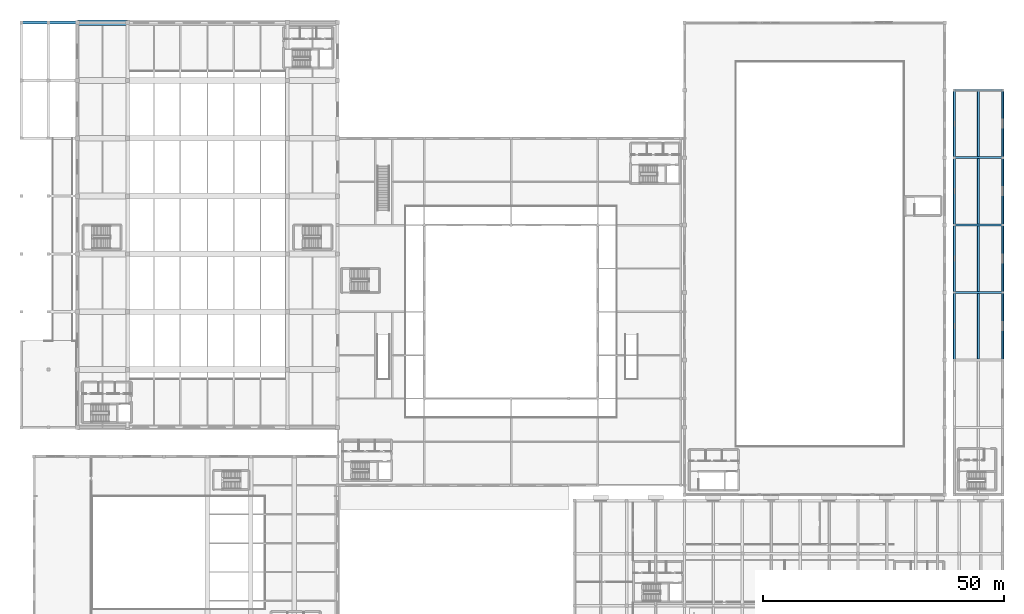
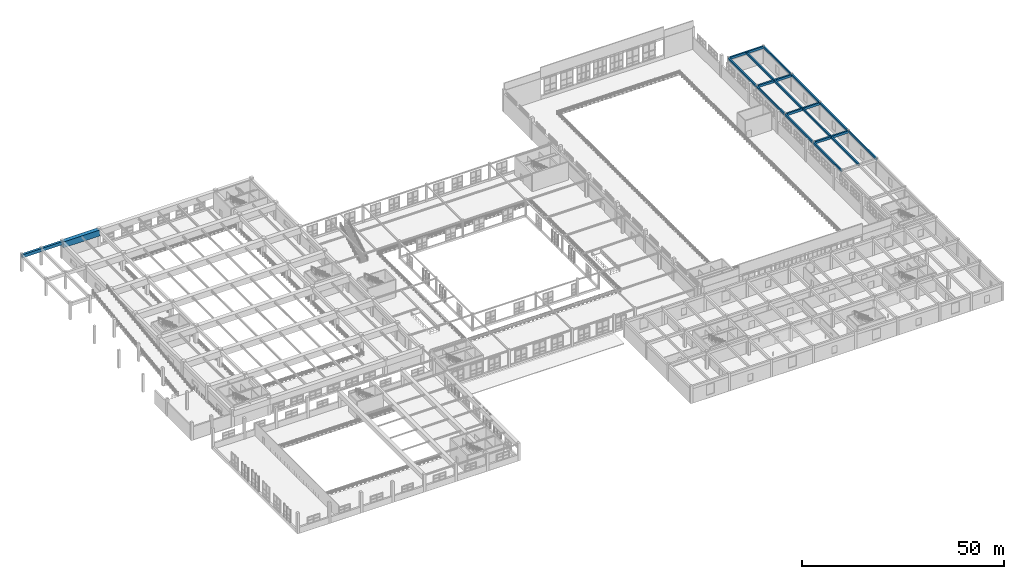
# One storey, part 140 of 197: 18 beams.
"""IFC4 building model written with IfcOpenShell, lengths in metres."""

from ifc_helpers import new_model, si_unit, derived_unit, direction, frame, origin, origin_2d, place, context, subcontext, project, spatial, rectangle, extrude, material, material_profile, profile_set, type_object, element, save


model = new_model("IFC4")

# Units and contexts
model_context = context("Model", 3, precision=1e-05, world=origin(), true_north=direction((0.0, 1.0)))
body_context = subcontext(model_context, "Body", "Model", "MODEL_VIEW")
ifc_project = project(units=[si_unit("LENGTHUNIT", "METRE"), si_unit("AREAUNIT", "SQUARE_METRE"), si_unit("VOLUMEUNIT", "CUBIC_METRE"), si_unit("PLANEANGLEUNIT", "RADIAN"), si_unit("MASSUNIT", "GRAM", prefix="KILO"), derived_unit("THERMALTRANSMITTANCEUNIT", [(si_unit("POWERUNIT", "WATT"), 1), (si_unit("LENGTHUNIT", "METRE"), -2), (si_unit("THERMODYNAMICTEMPERATUREUNIT", "KELVIN"), -1)])], contexts=[model_context])

# Site, building, storey
site_placement = place(None, origin())
site = spatial("IfcSite", under=ifc_project, at=site_placement, CompositionType="ELEMENT")
building_placement = place(site_placement, origin())
building = spatial("IfcBuilding", under=site, at=building_placement, Name="Almenara Railside Exhibition Hall", CompositionType="ELEMENT")
storey_placement = place(building_placement, frame((0.0, 0.0, 5.39990234375)))
storey = spatial("IfcBuildingStorey", under=building, at=storey_placement, Name="L01", CompositionType="ELEMENT", Elevation=5.39990234375)

# Beams
ifc_material_1 = material(Name="Concrete C40/50", Category="concrete")
ifc_material_profile_1 = material_profile(ifc_material_1, rectangle(XDim=1.10009765625, YDim=1.800048828125, at=origin_2d()), Name="RC 1100x1800")
ifc_profile_set_1 = profile_set([ifc_material_profile_1], Name="Concrete C40/50")
beam_type_1 = type_object("IfcBeamType", Name="RC End Transfer Girder 1100x1800 C40/50", PredefinedType="USERDEFINED", material=ifc_profile_set_1)
beam_1_placement = place(storey_placement, frame((12.0, 132.0, 4.09619140625), z_axis=(1.0, 0.0, 0.0), x_axis=(0.0, 1.0, 0.0)))
element("IfcBeam", 1, at=beam_1_placement, inside=storey, type_object=beam_type_1, Name="Beam 0577", ObjectType="GIRDER", PredefinedType="USERDEFINED", context=body_context, shape_type="SweptSolid", body=[
    extrude(rectangle(XDim=1.10009765625, YDim=1.800048828125, at=origin_2d()), origin(), (0.0, 0.0, 1.0), 10.39990234375),
])
ifc_material_2 = material(Name="Concrete C35/45", Category="concrete")
ifc_material_profile_2 = material_profile(ifc_material_2, rectangle(XDim=0.449951171875, YDim=0.699951171875, at=origin_2d()), Name="RC 450x700")
ifc_profile_set_2 = profile_set([ifc_material_profile_2], Name="Concrete C35/45")
beam_type_2 = type_object("IfcBeamType", Name="RC Floor Beam 450x700 C35/45", PredefinedType="BEAM", material=ifc_profile_set_2)
for number, where, z_axis, x_axis, name in (
    (2, (194.0, 76.0, 4.81103515625), (1.0, 0.0, 0.0), (0.0, 1.0, 0.0), "Beam 0442"),
    (3, (194.0, 90.0, 4.81103515625), (1.0, 0.0, 0.0), (0.0, 1.0, 0.0), "Beam 0443"),
    (4, (194.0, 104.0, 4.81103515625), (1.0, 0.0, 0.0), (0.0, 1.0, 0.0), "Beam 0444"),
    (5, (194.0, 118.0, 4.81103515625), (1.0, 0.0, 0.0), (0.0, 1.0, 0.0), "Beam 0445"),
):
    element("IfcBeam", number, at=place(storey_placement, frame(where, z_axis=z_axis, x_axis=x_axis)), inside=storey, type_object=beam_type_2, Name=name, PredefinedType="BEAM", context=body_context, shape_type="SweptSolid", body=[
        extrude(rectangle(XDim=0.449951171875, YDim=0.699951171875, at=origin_2d()), origin(), (0.0, 0.0, 1.0), 10.0),
    ])
ifc_material_profile_3 = material_profile(ifc_material_1, rectangle(XDim=0.60009765625, YDim=0.949951171875, at=origin_2d()), Name="RC 600x950")
ifc_profile_set_3 = profile_set([ifc_material_profile_3], Name="Concrete C40/50")
beam_type_3 = type_object("IfcBeamType", Name="RC Hall Edge Beam 600x950 C40/50", PredefinedType="BEAM", material=ifc_profile_set_3)
beam_2_placement = place(storey_placement, frame((0.39990234375, 132.0, 4.541015625), z_axis=(1.0, 0.0, 0.0), x_axis=(0.0, 1.0, 0.0)))
element("IfcBeam", 6, at=beam_2_placement, inside=storey, type_object=beam_type_3, Name="Beam 0944", PredefinedType="BEAM", context=body_context, shape_type="SweptSolid", body=[
    extrude(rectangle(XDim=0.60009765625, YDim=0.949951171875, at=origin_2d()), origin(), (0.0, 0.0, 1.0), 11.60009765625),
])
ifc_material_profile_4 = material_profile(ifc_material_2, rectangle(XDim=0.39990234375, YDim=0.60009765625, at=origin_2d()), Name="RC 400x600")
ifc_profile_set_4 = profile_set([ifc_material_profile_4], Name="Concrete C35/45")
beam_type_4 = type_object("IfcBeamType", Name="RC Secondary Beam 400x600 C35/45", PredefinedType="BEAM", material=ifc_profile_set_4)
for number, where, z_axis, x_axis, name in (
    (7, (194.0, 62.0, 4.861083984375), (0.0, 1.0, 0.0), (-1.0, 0.0, 0.0), "Beam 0448"),
    (8, (194.0, 76.0, 4.861083984375), (0.0, 1.0, 0.0), (-1.0, 0.0, 0.0), "Beam 0449"),
    (9, (194.0, 90.0, 4.861083984375), (0.0, 1.0, 0.0), (-1.0, 0.0, 0.0), "Beam 0450"),
    (10, (194.0, 104.0, 4.861083984375), (0.0, 1.0, 0.0), (-1.0, 0.0, 0.0), "Beam 0451"),
):
    element("IfcBeam", number, at=place(storey_placement, frame(where, z_axis=z_axis, x_axis=x_axis)), inside=storey, type_object=beam_type_4, Name=name, PredefinedType="BEAM", context=body_context, shape_type="SweptSolid", body=[
        extrude(rectangle(XDim=0.39990234375, YDim=0.60009765625, at=origin_2d()), origin(), (0.0, 0.0, 1.0), 14.0),
    ])
for number, where, z_axis, x_axis, name in (
    (11, (199.0, 62.22509765625, 4.861083984375), (0.0, 1.0, 0.0), (-1.0, 0.0, 0.0), "Beam 0455"),
    (12, (199.0, 76.22509765625, 4.861083984375), (0.0, 1.0, 0.0), (-1.0, 0.0, 0.0), "Beam 0456"),
    (13, (199.0, 90.22509765625, 4.861083984375), (0.0, 1.0, 0.0), (-1.0, 0.0, 0.0), "Beam 0457"),
    (14, (199.0, 104.22509765625, 4.861083984375), (0.0, 1.0, 0.0), (-1.0, 0.0, 0.0), "Beam 0458"),
):
    element("IfcBeam", number, at=place(storey_placement, frame(where, z_axis=z_axis, x_axis=x_axis)), inside=storey, type_object=beam_type_4, Name=name, PredefinedType="BEAM", context=body_context, shape_type="SweptSolid", body=[
        extrude(rectangle(XDim=0.39990234375, YDim=0.60009765625, at=origin_2d()), origin(), (0.0, 0.0, 1.0), 13.5498046875),
    ])
for number, where, z_axis, x_axis, name in (
    (15, (204.0, 62.0, 4.861083984375), (0.0, 1.0, 0.0), (-1.0, 0.0, 0.0), "Beam 0461"),
    (16, (204.0, 76.0, 4.861083984375), (0.0, 1.0, 0.0), (-1.0, 0.0, 0.0), "Beam 0462"),
    (17, (204.0, 90.0, 4.861083984375), (0.0, 1.0, 0.0), (-1.0, 0.0, 0.0), "Beam 0463"),
    (18, (204.0, 104.0, 4.861083984375), (0.0, 1.0, 0.0), (-1.0, 0.0, 0.0), "Beam 0464"),
):
    element("IfcBeam", number, at=place(storey_placement, frame(where, z_axis=z_axis, x_axis=x_axis)), inside=storey, type_object=beam_type_4, Name=name, PredefinedType="BEAM", context=body_context, shape_type="SweptSolid", body=[
        extrude(rectangle(XDim=0.39990234375, YDim=0.60009765625, at=origin_2d()), origin(), (0.0, 0.0, 1.0), 14.0),
    ])

save(model, "model.ifc")
